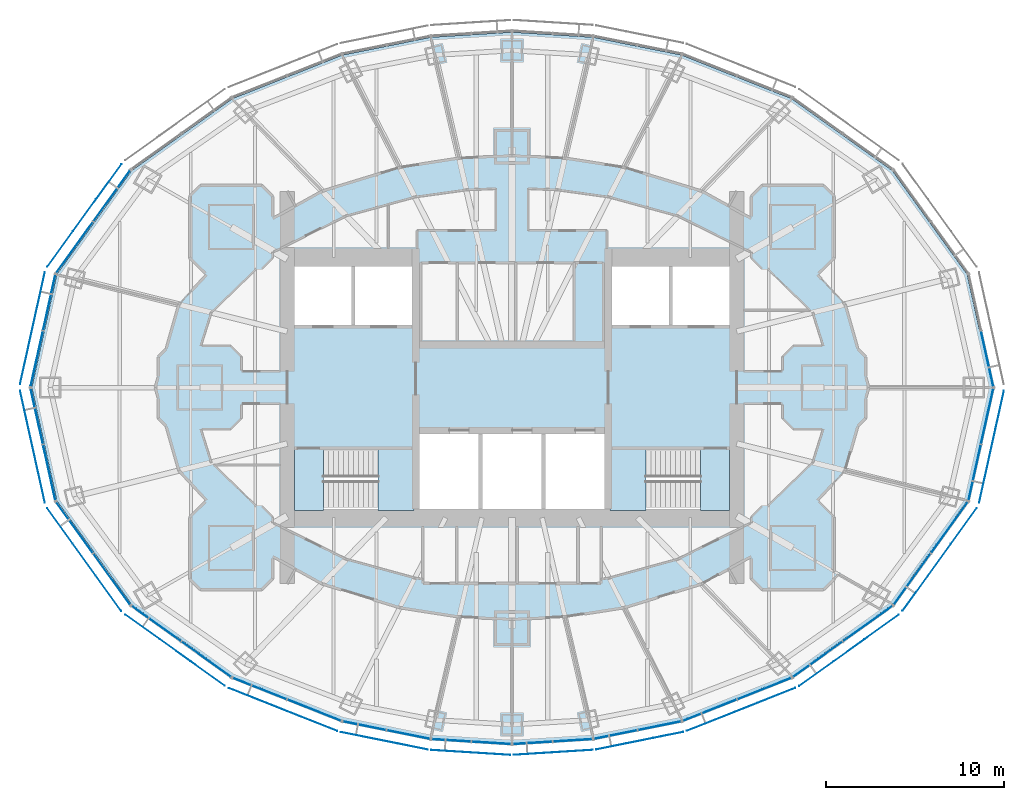
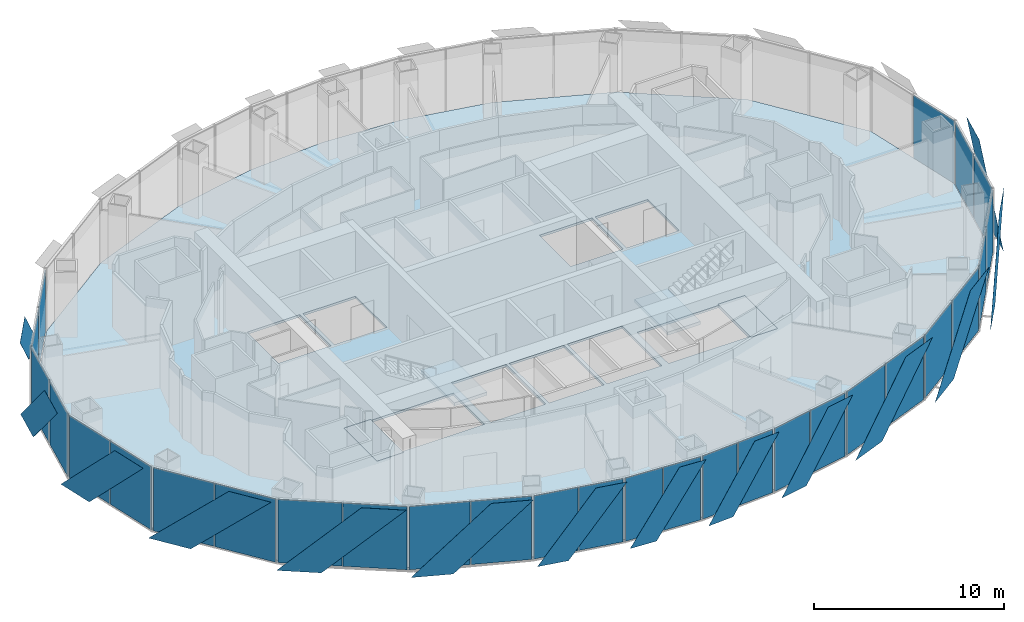
# One storey, part 10 of 19: 43 plates, 5 slabs, 17 elements without a shape of their own.
"""IFC4 building model written with IfcOpenShell, lengths in metres."""

from ifc_helpers import new_model, si_unit, direction, frame, origin, origin_2d, place, context, subcontext, project, spatial, polyline, rectangle, outline, extrude, material, layer, layer_set, type_object, element, aggregate, save


model = new_model("IFC4")

# Units and contexts
model_context = context("Model", 3, precision=1e-05, world=origin(), true_north=direction((0.0, 1.0)))
body_context = subcontext(model_context, "Body", "Model", "MODEL_VIEW")
ifc_project = project(units=[si_unit("LENGTHUNIT", "METRE"), si_unit("AREAUNIT", "SQUARE_METRE"), si_unit("VOLUMEUNIT", "CUBIC_METRE"), si_unit("PLANEANGLEUNIT", "RADIAN"), si_unit("MASSUNIT", "GRAM", prefix="KILO")], contexts=[model_context])

# Site, building, storey
site_placement = place(None, origin())
site = spatial("IfcSite", under=ifc_project, at=site_placement, CompositionType="ELEMENT")
building_placement = place(site_placement, origin())
building = spatial("IfcBuilding", under=site, at=building_placement, Name="Lantaw Convention Tower", CompositionType="ELEMENT")
storey_placement = place(building_placement, frame((0.0, 0.0, 253.60009765625)))
storey = spatial("IfcBuildingStorey", under=building, at=storey_placement, Name="L59", CompositionType="ELEMENT", Elevation=253.60009765625)

# Curtain wall, plate
ifc_material_1 = material(Name="Aluminium framed curtain wall", Category="aluminium")
curtain_wall_type = type_object("IfcCurtainWallType", Name="Office curtain wall high rise, pale aluminium", PredefinedType="USERDEFINED", material=ifc_material_1)
curtain_wall_1_placement = place(storey_placement, origin())
curtain_wall_1 = element("IfcCurtainWall", 1, at=curtain_wall_1_placement, inside=storey, type_object=curtain_wall_type, Name="Office curtain wall high rise, pale aluminium L59", ObjectType="UNITISED CURTAIN WALL", PredefinedType="USERDEFINED")
ifc_material_2 = material(Name="Clear insulating glass", Category="glass")
ifc_layer_1 = layer(ifc_material_2, 0.028076171875)
ifc_layer_set_1 = layer_set([ifc_layer_1], Name="CW-O2 panel 28")
plate_type_1 = type_object("IfcPlateType", Name="CW-O2 panel 28", PredefinedType="CURTAIN_PANEL", material=ifc_layer_set_1)
plate_1_placement = place(storey_placement, frame((26.643798828125, 1.61083984375, -0.0849609375), z_axis=(0.0, 0.0, 1.0), x_axis=(-0.215891333626, 0.976417396437, 0.0)))
plate_1 = element("IfcPlate", 2, at=plate_1_placement, type_object=plate_type_1, Name="CW-O2 panel 1.1", PredefinedType="CURTAIN_PANEL", context=body_context, shape_type="SweptSolid", body=[
    extrude(rectangle(XDim=3.169677734375, YDim=0.028076171875, at=origin_2d()), origin(), (0.0, 0.0, 1.0), 4.070068359375),
])
aggregate(curtain_wall_1, [plate_1])

# Curtain wall, plates
curtain_wall_2_placement = place(storey_placement, origin())
curtain_wall_2 = element("IfcCurtainWall", 3, at=curtain_wall_2_placement, inside=storey, type_object=curtain_wall_type, Name="Office curtain wall high rise, pale aluminium L59", ObjectType="UNITISED CURTAIN WALL", PredefinedType="USERDEFINED")
plate_2_placement = place(storey_placement, frame((-22.4404296875, 10.743896484375, -0.0849609375), z_axis=(0.0, 0.0, 1.0), x_axis=(-0.585157643865, -0.810919559405, 0.0)))
plate_2 = element("IfcPlate", 4, at=plate_2_placement, type_object=plate_type_1, Name="CW-O2 panel 1.1", PredefinedType="CURTAIN_PANEL", context=body_context, shape_type="SweptSolid", body=[
    extrude(rectangle(XDim=3.500732421875, YDim=0.028076171875, at=origin_2d()), origin(), (0.0, 0.0, 1.0), 4.070068359375),
])
plate_3_placement = place(storey_placement, frame((-24.527099609375, 7.852294921875, -0.0849609375), z_axis=(0.0, 0.0, 1.0), x_axis=(-0.585157643865, -0.810919559405, 0.0)))
plate_3 = element("IfcPlate", 5, at=plate_3_placement, type_object=plate_type_1, Name="CW-O2 panel 2.1", PredefinedType="CURTAIN_PANEL", context=body_context, shape_type="SweptSolid", body=[
    extrude(rectangle(XDim=3.500732421875, YDim=0.028076171875, at=origin_2d()), origin(), (0.0, 0.0, 1.0), 4.070068359375),
])
aggregate(curtain_wall_2, [plate_2, plate_3])

curtain_wall_3_placement = place(storey_placement, origin())
curtain_wall_3 = element("IfcCurtainWall", 6, at=curtain_wall_3_placement, inside=storey, type_object=curtain_wall_type, Name="Office curtain wall high rise, pale aluminium L59", ObjectType="UNITISED CURTAIN WALL", PredefinedType="USERDEFINED")
plate_4_placement = place(storey_placement, frame((-25.945556640625, 4.769287109375, -0.0849609375), z_axis=(0.0, 0.0, 1.0), x_axis=(-0.215891333626, -0.976417396437, 0.0)))
plate_4 = element("IfcPlate", 7, at=plate_4_placement, type_object=plate_type_1, Name="CW-O2 panel 1.1", PredefinedType="CURTAIN_PANEL", context=body_context, shape_type="SweptSolid", body=[
    extrude(rectangle(XDim=3.169677734375, YDim=0.028076171875, at=origin_2d()), origin(), (0.0, 0.0, 1.0), 4.070068359375),
])
plate_5_placement = place(storey_placement, frame((-26.643798828125, 1.61083984375, -0.0849609375), z_axis=(0.0, 0.0, 1.0), x_axis=(-0.215891333626, -0.976417396437, 0.0)))
plate_5 = element("IfcPlate", 8, at=plate_5_placement, type_object=plate_type_1, Name="CW-O2 panel 2.1", PredefinedType="CURTAIN_PANEL", context=body_context, shape_type="SweptSolid", body=[
    extrude(rectangle(XDim=3.169677734375, YDim=0.028076171875, at=origin_2d()), origin(), (0.0, 0.0, 1.0), 4.070068359375),
])
aggregate(curtain_wall_3, [plate_4, plate_5])

curtain_wall_4_placement = place(storey_placement, origin())
curtain_wall_4 = element("IfcCurtainWall", 9, at=curtain_wall_4_placement, inside=storey, type_object=curtain_wall_type, Name="Office curtain wall high rise, pale aluminium L59", ObjectType="UNITISED CURTAIN WALL", PredefinedType="USERDEFINED")
plate_6_placement = place(storey_placement, frame((-26.643798828125, -1.61083984375, -0.0849609375), z_axis=(0.0, 0.0, 1.0), x_axis=(0.215891333626, -0.976417396437, 0.0)))
plate_6 = element("IfcPlate", 10, at=plate_6_placement, type_object=plate_type_1, Name="CW-O2 panel 1.1", PredefinedType="CURTAIN_PANEL", context=body_context, shape_type="SweptSolid", body=[
    extrude(rectangle(XDim=3.169677734375, YDim=0.028076171875, at=origin_2d()), origin(), (0.0, 0.0, 1.0), 4.070068359375),
])
plate_7_placement = place(storey_placement, frame((-25.945556640625, -4.769287109375, -0.0849609375), z_axis=(0.0, 0.0, 1.0), x_axis=(0.215891333626, -0.976417396437, 0.0)))
plate_7 = element("IfcPlate", 11, at=plate_7_placement, type_object=plate_type_1, Name="CW-O2 panel 2.1", PredefinedType="CURTAIN_PANEL", context=body_context, shape_type="SweptSolid", body=[
    extrude(rectangle(XDim=3.169677734375, YDim=0.028076171875, at=origin_2d()), origin(), (0.0, 0.0, 1.0), 4.070068359375),
])
aggregate(curtain_wall_4, [plate_6, plate_7])

curtain_wall_5_placement = place(storey_placement, origin())
curtain_wall_5 = element("IfcCurtainWall", 12, at=curtain_wall_5_placement, inside=storey, type_object=curtain_wall_type, Name="Office curtain wall high rise, pale aluminium L59", ObjectType="UNITISED CURTAIN WALL", PredefinedType="USERDEFINED")
plate_8_placement = place(storey_placement, frame((-24.527099609375, -7.852294921875, -0.0849609375), z_axis=(0.0, 0.0, 1.0), x_axis=(0.585157643865, -0.810919559405, 0.0)))
plate_8 = element("IfcPlate", 13, at=plate_8_placement, type_object=plate_type_1, Name="CW-O2 panel 1.1", PredefinedType="CURTAIN_PANEL", context=body_context, shape_type="SweptSolid", body=[
    extrude(rectangle(XDim=3.500732421875, YDim=0.028076171875, at=origin_2d()), origin(), (0.0, 0.0, 1.0), 4.070068359375),
])
plate_9_placement = place(storey_placement, frame((-22.4404296875, -10.743896484375, -0.0849609375), z_axis=(0.0, 0.0, 1.0), x_axis=(0.585157643865, -0.810919559405, 0.0)))
plate_9 = element("IfcPlate", 14, at=plate_9_placement, type_object=plate_type_1, Name="CW-O2 panel 2.1", PredefinedType="CURTAIN_PANEL", context=body_context, shape_type="SweptSolid", body=[
    extrude(rectangle(XDim=3.500732421875, YDim=0.028076171875, at=origin_2d()), origin(), (0.0, 0.0, 1.0), 4.070068359375),
])
aggregate(curtain_wall_5, [plate_8, plate_9])

curtain_wall_6_placement = place(storey_placement, origin())
curtain_wall_6 = element("IfcCurtainWall", 15, at=curtain_wall_6_placement, inside=storey, type_object=curtain_wall_type, Name="Office curtain wall high rise, pale aluminium L59", ObjectType="UNITISED CURTAIN WALL", PredefinedType="USERDEFINED")
plate_10_placement = place(storey_placement, frame((-19.947509765625, -13.23828125, -0.0849609375), z_axis=(0.0, 0.0, 1.0), x_axis=(0.813672540482, -0.581323487281, 0.0)))
plate_10 = element("IfcPlate", 16, at=plate_10_placement, type_object=plate_type_1, Name="CW-O2 panel 1.1", PredefinedType="CURTAIN_PANEL", context=body_context, shape_type="SweptSolid", body=[
    extrude(rectangle(XDim=3.386474609375, YDim=0.028076171875, at=origin_2d()), origin(), (0.0, 0.0, 1.0), 4.070068359375),
])
plate_11_placement = place(storey_placement, frame((-17.13916015625, -15.24462890625, -0.0849609375), z_axis=(0.0, 0.0, 1.0), x_axis=(0.813672540482, -0.581323487281, 0.0)))
plate_11 = element("IfcPlate", 17, at=plate_11_placement, type_object=plate_type_1, Name="CW-O2 panel 2.1", PredefinedType="CURTAIN_PANEL", context=body_context, shape_type="SweptSolid", body=[
    extrude(rectangle(XDim=3.386474609375, YDim=0.028076171875, at=origin_2d()), origin(), (0.0, 0.0, 1.0), 4.070068359375),
])
aggregate(curtain_wall_6, [plate_10, plate_11])

curtain_wall_7_placement = place(storey_placement, origin())
curtain_wall_7 = element("IfcCurtainWall", 18, at=curtain_wall_7_placement, inside=storey, type_object=curtain_wall_type, Name="Office curtain wall high rise, pale aluminium L59", ObjectType="UNITISED CURTAIN WALL", PredefinedType="USERDEFINED")
plate_12_placement = place(storey_placement, frame((-14.14990234375, -16.8837890625, -0.0849609375), z_axis=(0.0, 0.0, 1.0), x_axis=(0.929761533743, -0.368162315252, 0.0)))
plate_12 = element("IfcPlate", 19, at=plate_12_placement, type_object=plate_type_1, Name="CW-O2 panel 1.1", PredefinedType="CURTAIN_PANEL", context=body_context, shape_type="SweptSolid", body=[
    extrude(rectangle(XDim=3.222900390625, YDim=0.028076171875, at=origin_2d()), origin(), (0.0, 0.0, 1.0), 4.070068359375),
])
plate_13_placement = place(storey_placement, frame((-11.0927734375, -18.094482421875, -0.0849609375), z_axis=(0.0, 0.0, 1.0), x_axis=(0.929761533743, -0.368162315252, 0.0)))
plate_13 = element("IfcPlate", 20, at=plate_13_placement, type_object=plate_type_1, Name="CW-O2 panel 2.1", PredefinedType="CURTAIN_PANEL", context=body_context, shape_type="SweptSolid", body=[
    extrude(rectangle(XDim=3.222900390625, YDim=0.028076171875, at=origin_2d()), origin(), (0.0, 0.0, 1.0), 4.070068359375),
])
aggregate(curtain_wall_7, [plate_12, plate_13])

curtain_wall_8_placement = place(storey_placement, origin())
curtain_wall_8 = element("IfcCurtainWall", 21, at=curtain_wall_8_placement, inside=storey, type_object=curtain_wall_type, Name="Office curtain wall high rise, pale aluminium L59", ObjectType="UNITISED CURTAIN WALL", PredefinedType="USERDEFINED")
plate_14_placement = place(storey_placement, frame((-8.2724609375, -18.96533203125, -0.0849609375), z_axis=(0.0, 0.0, 1.0), x_axis=(0.980366679695, -0.197183095987, 0.0)))
plate_14 = element("IfcPlate", 22, at=plate_14_placement, type_object=plate_type_1, Name="CW-O2 panel 1.1", PredefinedType="CURTAIN_PANEL", context=body_context, shape_type="SweptSolid", body=[
    extrude(rectangle(XDim=2.44384765625, YDim=0.028076171875, at=origin_2d()), origin(), (0.0, 0.0, 1.0), 4.070068359375),
])
plate_15_placement = place(storey_placement, frame((-5.81298828125, -19.4599609375, -0.0849609375), z_axis=(0.0, 0.0, 1.0), x_axis=(0.980366679695, -0.197183095987, 0.0)))
plate_15 = element("IfcPlate", 23, at=plate_15_placement, type_object=plate_type_1, Name="CW-O2 panel 2.1", PredefinedType="CURTAIN_PANEL", context=body_context, shape_type="SweptSolid", body=[
    extrude(rectangle(XDim=2.44384765625, YDim=0.028076171875, at=origin_2d()), origin(), (0.0, 0.0, 1.0), 4.070068359375),
])
aggregate(curtain_wall_8, [plate_14, plate_15])

curtain_wall_9_placement = place(storey_placement, origin())
curtain_wall_9 = element("IfcCurtainWall", 24, at=curtain_wall_9_placement, inside=storey, type_object=curtain_wall_type, Name="Office curtain wall high rise, pale aluminium L59", ObjectType="UNITISED CURTAIN WALL", PredefinedType="USERDEFINED")
plate_16_placement = place(storey_placement, frame((-3.397216796875, -19.786376953125, -0.0849609375), z_axis=(0.0, 0.0, 1.0), x_axis=(0.998028774865, -0.062757983884, 0.0)))
plate_16 = element("IfcPlate", 25, at=plate_16_placement, type_object=plate_type_1, Name="CW-O2 panel 1.1", PredefinedType="CURTAIN_PANEL", context=body_context, shape_type="SweptSolid", body=[
    extrude(rectangle(XDim=2.1826171875, YDim=0.028076171875, at=origin_2d()), origin(), (0.0, 0.0, 1.0), 4.070068359375),
])
plate_17_placement = place(storey_placement, frame((-1.154052734375, -19.927490234375, -0.0849609375), z_axis=(0.0, 0.0, 1.0), x_axis=(0.998028774865, -0.062757983884, 0.0)))
plate_17 = element("IfcPlate", 26, at=plate_17_placement, type_object=plate_type_1, Name="CW-O2 panel 2.1", PredefinedType="CURTAIN_PANEL", context=body_context, shape_type="SweptSolid", body=[
    extrude(rectangle(XDim=2.1826171875, YDim=0.028076171875, at=origin_2d()), origin(), (0.0, 0.0, 1.0), 4.070068359375),
])
aggregate(curtain_wall_9, [plate_16, plate_17])

curtain_wall_10_placement = place(storey_placement, origin())
curtain_wall_10 = element("IfcCurtainWall", 27, at=curtain_wall_10_placement, inside=storey, type_object=curtain_wall_type, Name="Office curtain wall high rise, pale aluminium L59", ObjectType="UNITISED CURTAIN WALL", PredefinedType="USERDEFINED")
plate_18_placement = place(storey_placement, frame((1.154052734375, -19.927490234375, -0.0849609375), z_axis=(0.0, 0.0, 1.0), x_axis=(0.998028774865, 0.062757983884, 0.0)))
plate_18 = element("IfcPlate", 28, at=plate_18_placement, type_object=plate_type_1, Name="CW-O2 panel 1.1", PredefinedType="CURTAIN_PANEL", context=body_context, shape_type="SweptSolid", body=[
    extrude(rectangle(XDim=2.1826171875, YDim=0.028076171875, at=origin_2d()), origin(), (0.0, 0.0, 1.0), 4.070068359375),
])
plate_19_placement = place(storey_placement, frame((3.397216796875, -19.786376953125, -0.0849609375), z_axis=(0.0, 0.0, 1.0), x_axis=(0.998028774865, 0.062757983884, 0.0)))
plate_19 = element("IfcPlate", 29, at=plate_19_placement, type_object=plate_type_1, Name="CW-O2 panel 2.1", PredefinedType="CURTAIN_PANEL", context=body_context, shape_type="SweptSolid", body=[
    extrude(rectangle(XDim=2.1826171875, YDim=0.028076171875, at=origin_2d()), origin(), (0.0, 0.0, 1.0), 4.070068359375),
])
aggregate(curtain_wall_10, [plate_18, plate_19])

curtain_wall_11_placement = place(storey_placement, origin())
curtain_wall_11 = element("IfcCurtainWall", 30, at=curtain_wall_11_placement, inside=storey, type_object=curtain_wall_type, Name="Office curtain wall high rise, pale aluminium L59", ObjectType="UNITISED CURTAIN WALL", PredefinedType="USERDEFINED")
plate_20_placement = place(storey_placement, frame((5.81298828125, -19.4599609375, -0.0849609375), z_axis=(0.0, 0.0, 1.0), x_axis=(0.980366679695, 0.197183095987, 0.0)))
plate_20 = element("IfcPlate", 31, at=plate_20_placement, type_object=plate_type_1, Name="CW-O2 panel 1.1", PredefinedType="CURTAIN_PANEL", context=body_context, shape_type="SweptSolid", body=[
    extrude(rectangle(XDim=2.44384765625, YDim=0.028076171875, at=origin_2d()), origin(), (0.0, 0.0, 1.0), 4.070068359375),
])
plate_21_placement = place(storey_placement, frame((8.2724609375, -18.96533203125, -0.0849609375), z_axis=(0.0, 0.0, 1.0), x_axis=(0.980366679695, 0.197183095987, 0.0)))
plate_21 = element("IfcPlate", 32, at=plate_21_placement, type_object=plate_type_1, Name="CW-O2 panel 2.1", PredefinedType="CURTAIN_PANEL", context=body_context, shape_type="SweptSolid", body=[
    extrude(rectangle(XDim=2.44384765625, YDim=0.028076171875, at=origin_2d()), origin(), (0.0, 0.0, 1.0), 4.070068359375),
])
aggregate(curtain_wall_11, [plate_20, plate_21])

curtain_wall_12_placement = place(storey_placement, origin())
curtain_wall_12 = element("IfcCurtainWall", 33, at=curtain_wall_12_placement, inside=storey, type_object=curtain_wall_type, Name="Office curtain wall high rise, pale aluminium L59", ObjectType="UNITISED CURTAIN WALL", PredefinedType="USERDEFINED")
plate_22_placement = place(storey_placement, frame((11.0927734375, -18.094482421875, -0.0849609375), z_axis=(0.0, 0.0, 1.0), x_axis=(0.929761533743, 0.368162315252, 0.0)))
plate_22 = element("IfcPlate", 34, at=plate_22_placement, type_object=plate_type_1, Name="CW-O2 panel 1.1", PredefinedType="CURTAIN_PANEL", context=body_context, shape_type="SweptSolid", body=[
    extrude(rectangle(XDim=3.222900390625, YDim=0.028076171875, at=origin_2d()), origin(), (0.0, 0.0, 1.0), 4.070068359375),
])
plate_23_placement = place(storey_placement, frame((14.14990234375, -16.8837890625, -0.0849609375), z_axis=(0.0, 0.0, 1.0), x_axis=(0.929761533743, 0.368162315252, 0.0)))
plate_23 = element("IfcPlate", 35, at=plate_23_placement, type_object=plate_type_1, Name="CW-O2 panel 2.1", PredefinedType="CURTAIN_PANEL", context=body_context, shape_type="SweptSolid", body=[
    extrude(rectangle(XDim=3.222900390625, YDim=0.028076171875, at=origin_2d()), origin(), (0.0, 0.0, 1.0), 4.070068359375),
])
aggregate(curtain_wall_12, [plate_22, plate_23])

curtain_wall_13_placement = place(storey_placement, origin())
curtain_wall_13 = element("IfcCurtainWall", 36, at=curtain_wall_13_placement, inside=storey, type_object=curtain_wall_type, Name="Office curtain wall high rise, pale aluminium L59", ObjectType="UNITISED CURTAIN WALL", PredefinedType="USERDEFINED")
plate_24_placement = place(storey_placement, frame((17.13916015625, -15.24462890625, -0.0849609375), z_axis=(0.0, 0.0, 1.0), x_axis=(0.813672540482, 0.581323487281, 0.0)))
plate_24 = element("IfcPlate", 37, at=plate_24_placement, type_object=plate_type_1, Name="CW-O2 panel 1.1", PredefinedType="CURTAIN_PANEL", context=body_context, shape_type="SweptSolid", body=[
    extrude(rectangle(XDim=3.386474609375, YDim=0.028076171875, at=origin_2d()), origin(), (0.0, 0.0, 1.0), 4.070068359375),
])
plate_25_placement = place(storey_placement, frame((19.947509765625, -13.23828125, -0.0849609375), z_axis=(0.0, 0.0, 1.0), x_axis=(0.813672540482, 0.581323487281, 0.0)))
plate_25 = element("IfcPlate", 38, at=plate_25_placement, type_object=plate_type_1, Name="CW-O2 panel 2.1", PredefinedType="CURTAIN_PANEL", context=body_context, shape_type="SweptSolid", body=[
    extrude(rectangle(XDim=3.386474609375, YDim=0.028076171875, at=origin_2d()), origin(), (0.0, 0.0, 1.0), 4.070068359375),
])
aggregate(curtain_wall_13, [plate_24, plate_25])

curtain_wall_14_placement = place(storey_placement, origin())
curtain_wall_14 = element("IfcCurtainWall", 39, at=curtain_wall_14_placement, inside=storey, type_object=curtain_wall_type, Name="Office curtain wall high rise, pale aluminium L59", ObjectType="UNITISED CURTAIN WALL", PredefinedType="USERDEFINED")
plate_26_placement = place(storey_placement, frame((22.4404296875, -10.743896484375, -0.0849609375), z_axis=(0.0, 0.0, 1.0), x_axis=(0.585157643865, 0.810919559405, 0.0)))
plate_26 = element("IfcPlate", 40, at=plate_26_placement, type_object=plate_type_1, Name="CW-O2 panel 1.1", PredefinedType="CURTAIN_PANEL", context=body_context, shape_type="SweptSolid", body=[
    extrude(rectangle(XDim=3.500732421875, YDim=0.028076171875, at=origin_2d()), origin(), (0.0, 0.0, 1.0), 4.070068359375),
])
plate_27_placement = place(storey_placement, frame((24.527099609375, -7.852294921875, -0.0849609375), z_axis=(0.0, 0.0, 1.0), x_axis=(0.585157643865, 0.810919559405, 0.0)))
plate_27 = element("IfcPlate", 41, at=plate_27_placement, type_object=plate_type_1, Name="CW-O2 panel 2.1", PredefinedType="CURTAIN_PANEL", context=body_context, shape_type="SweptSolid", body=[
    extrude(rectangle(XDim=3.500732421875, YDim=0.028076171875, at=origin_2d()), origin(), (0.0, 0.0, 1.0), 4.070068359375),
])
aggregate(curtain_wall_14, [plate_26, plate_27])

curtain_wall_15_placement = place(storey_placement, origin())
curtain_wall_15 = element("IfcCurtainWall", 42, at=curtain_wall_15_placement, inside=storey, type_object=curtain_wall_type, Name="Office curtain wall high rise, pale aluminium L59", ObjectType="UNITISED CURTAIN WALL", PredefinedType="USERDEFINED")
plate_28_placement = place(storey_placement, frame((25.945556640625, -4.769287109375, -0.0849609375), z_axis=(0.0, 0.0, 1.0), x_axis=(0.215891333626, 0.976417396437, 0.0)))
plate_28 = element("IfcPlate", 43, at=plate_28_placement, type_object=plate_type_1, Name="CW-O2 panel 1.1", PredefinedType="CURTAIN_PANEL", context=body_context, shape_type="SweptSolid", body=[
    extrude(rectangle(XDim=3.169677734375, YDim=0.028076171875, at=origin_2d()), origin(), (0.0, 0.0, 1.0), 4.070068359375),
])
plate_29_placement = place(storey_placement, frame((26.643798828125, -1.61083984375, -0.0849609375), z_axis=(0.0, 0.0, 1.0), x_axis=(0.215891333626, 0.976417396437, 0.0)))
plate_29 = element("IfcPlate", 44, at=plate_29_placement, type_object=plate_type_1, Name="CW-O2 panel 2.1", PredefinedType="CURTAIN_PANEL", context=body_context, shape_type="SweptSolid", body=[
    extrude(rectangle(XDim=3.169677734375, YDim=0.028076171875, at=origin_2d()), origin(), (0.0, 0.0, 1.0), 4.070068359375),
])
aggregate(curtain_wall_15, [plate_28, plate_29])

# Slab
ifc_material_3 = material(Name="Concrete C35/45", Category="concrete")
ifc_layer_2 = layer(ifc_material_3, 0.14990234375)
ifc_layer_set_2 = layer_set([ifc_layer_2], Name="Floor slab 150")
slab_type_1 = type_object("IfcSlabType", Name="Floor slab 150", PredefinedType="FLOOR", material=ifc_layer_set_2)
slab_1_placement = place(storey_placement, frame((0.0, 0.0, -0.150146484375)))
element("IfcSlab", 45, at=slab_1_placement, inside=storey, type_object=slab_type_1, Name="L59 floor slab", PredefinedType="FLOOR", context=body_context, shape_type="SweptSolid", body=[
    extrude(outline(polyline([(25.51953125, -6.348876953125), (26.923095703125, 0.0), (25.51953125, 6.348876953125), (21.324462890625, 12.162109375), (15.67236328125, 16.2001953125), (9.5126953125, 18.639404296875), (4.54150390625, 19.63916015625), (0.0, 19.9248046875), (-4.54150390625, 19.63916015625), (-9.5126953125, 18.639404296875), (-15.67236328125, 16.2001953125), (-21.324462890625, 12.162109375), (-25.51953125, 6.348876953125), (-26.923095703125, 0.0), (-25.51953125, -6.348876953125), (-21.324462890625, -12.162109375), (-15.67236328125, -16.2001953125), (-9.5126953125, -18.639404296875), (-4.54150390625, -19.63916015625), (0.0, -19.9248046875), (4.54150390625, -19.63916015625), (9.5126953125, -18.639404296875), (15.67236328125, -16.2001953125), (21.324462890625, -12.162109375), (25.51953125, -6.348876953125)]), holes=[polyline([(-5.60009765625, -3.5), (-12.199951171875, -3.5), (-12.199951171875, -6.800048828125), (-5.60009765625, -6.800048828125), (-5.60009765625, -3.5)]), polyline([(12.199951171875, -3.5), (5.60009765625, -3.5), (5.60009765625, -6.800048828125), (12.199951171875, -6.800048828125), (12.199951171875, -3.5)]), polyline([(-1.86669921875, -2.60009765625), (-5.199951171875, -2.60009765625), (-5.199951171875, -6.800048828125), (-1.86669921875, -6.800048828125), (-1.86669921875, -2.60009765625)]), polyline([(1.666748046875, -2.60009765625), (-1.666748046875, -2.60009765625), (-1.666748046875, -6.800048828125), (1.666748046875, -6.800048828125), (1.666748046875, -2.60009765625)]), polyline([(5.199951171875, -2.60009765625), (1.86669921875, -2.60009765625), (1.86669921875, -6.800048828125), (5.199951171875, -6.800048828125), (5.199951171875, -2.60009765625)]), polyline([(-9.0, 6.800048828125), (-12.199951171875, 6.800048828125), (-12.199951171875, 3.5), (-9.0, 3.5), (-9.0, 6.800048828125)]), polyline([(-5.60009765625, 6.800048828125), (-8.800048828125, 6.800048828125), (-8.800048828125, 3.5), (-5.60009765625, 3.5), (-5.60009765625, 6.800048828125)]), polyline([(8.800048828125, 3.5), (8.800048828125, 6.800048828125), (5.60009765625, 6.800048828125), (5.60009765625, 3.5), (8.800048828125, 3.5)]), polyline([(12.199951171875, 3.5), (12.199951171875, 6.800048828125), (9.0, 6.800048828125), (9.0, 3.5), (12.199951171875, 3.5)])]), origin(), (0.0, 0.0, 1.0), 0.150146484375),
])

# Plates
ifc_material_4 = material(Name="Perforated aluminium sheet, pale silver finish", Category="aluminium")
ifc_layer_3 = layer(ifc_material_4, 0.006103515625)
ifc_layer_set_3 = layer_set([ifc_layer_3], Name="Perforated aluminium solar SCREEN panel")
plate_type_2 = type_object("IfcPlateType", Name="Perforated aluminium solar SCREEN panel", PredefinedType="SHEET", material=ifc_layer_set_3)
plate_30_placement = place(storey_placement, frame((-21.898681640625, 12.530029296875, -0.175048828125), z_axis=(-0.810892289695, 0.585195432394, 2.0459565e-05), x_axis=(-0.585195432516, -0.810892289865, 0.0)))
element("IfcPlate", 46, at=plate_30_placement, inside=storey, type_object=plate_type_2, Name="Solar SCREEN panel", PredefinedType="SHEET", context=body_context, shape_type="SweptSolid", body=[
    extrude(outline(polyline([(0.0, 0.0), (2.4468488406832853, 0.0), (7.096610466675719, 4.339843750908316), (4.649761625992434, 4.339843750908316), (0.0, 0.0)])), origin(), (0.0, 0.0, -1.0), 0.006103515625),
])
plate_31_placement = place(storey_placement, frame((-26.19189453125, 6.462158203125, -0.175048828125), z_axis=(0.976429511424, -0.215836529031, 4.4221925e-05), x_axis=(-0.215836529242, -0.976429512379, 0.0)))
element("IfcPlate", 47, at=plate_31_placement, inside=storey, type_object=plate_type_2, Name="Solar SCREEN panel", PredefinedType="SHEET", context=body_context, shape_type="SweptSolid", body=[
    extrude(outline(polyline([(0.0, 0.0), (2.2215525295212517, -3.3881317890172014e-21), (6.4341686174090675, -4.339843754243453), (4.212616087887817, -4.339843754243453), (0.0, 0.0)])), origin(), (0.0, 0.0, -1.0), 0.006103515625),
])
plate_32_placement = place(storey_placement, frame((-27.580810546875, -0.1796875, -0.175048828125), z_axis=(-0.976429511424, -0.215836529031, 4.4221925e-05), x_axis=(0.215836529242, -0.976429512379, 0.0)))
element("IfcPlate", 48, at=plate_32_placement, inside=storey, type_object=plate_type_2, Name="Solar SCREEN panel", PredefinedType="SHEET", context=body_context, shape_type="SweptSolid", body=[
    extrude(outline(polyline([(0.0, 0.0), (2.2215525295212517, 3.3881317890172014e-21), (6.4341686174090675, 4.339843754243453), (4.212616087887817, 4.339843754243453), (0.0, 0.0)])), origin(), (0.0, 0.0, -1.0), 0.006103515625),
])
plate_33_placement = place(storey_placement, frame((-26.051513671875, -6.775390625, -0.175048828125), z_axis=(0.810892289695, 0.585195432394, 2.0459565e-05), x_axis=(0.585195432516, -0.810892289865, 0.0)))
element("IfcPlate", 49, at=plate_33_placement, inside=storey, type_object=plate_type_2, Name="Solar SCREEN panel", PredefinedType="SHEET", context=body_context, shape_type="SweptSolid", body=[
    extrude(outline(polyline([(0.0, 0.0), (2.4468488406832853, 0.0), (7.096610466675719, -4.339843750908316), (4.649761625992434, -4.339843750908316), (0.0, 0.0)])), origin(), (0.0, 0.0, -1.0), 0.006103515625),
])
plate_34_placement = place(storey_placement, frame((-21.689697265625, -12.73828125, -0.175048828125), z_axis=(-0.581330799771, -0.813667316006, 1.0072981e-05), x_axis=(0.813667316047, -0.5813307998, 3.02e-10)))
element("IfcPlate", 50, at=plate_34_placement, inside=storey, type_object=plate_type_2, Name="Solar SCREEN panel", PredefinedType="SHEET", context=body_context, shape_type="SweptSolid", body=[
    extrude(outline(polyline([(0.0, 0.0), (2.36914164286685, -1.6940658945086007e-21), (6.867806096558412, 4.339843748148034), (4.498863102938643, 4.3398437495775966), (0.0, 0.0)])), origin(), (0.0, 0.0, -1.0), 0.006103515625),
])
plate_35_placement = place(storey_placement, frame((-15.88525390625, -16.8486328125, -0.175048828125), z_axis=(0.368116612072, 0.929779629081, 3.5535267e-05), x_axis=(0.929779629668, -0.368116612304, -1.786e-09)))
element("IfcPlate", 51, at=plate_35_placement, inside=storey, type_object=plate_type_2, Name="Solar SCREEN panel", PredefinedType="SHEET", context=body_context, shape_type="SweptSolid", body=[
    extrude(outline(polyline([(0.0, 0.0), (2.2578720663572183, -6.776263578034403e-21), (6.540904465438181, -4.339843764423989), (4.282942526861161, -4.33984375635743), (0.0, 0.0)])), origin(), (0.0, 0.0, -1.0), 0.006103515625),
])
plate_36_placement = place(storey_placement, frame((-9.6044921875, -19.315673828125, -0.175048828125), z_axis=(0.197162069853, 0.980370908428, 1.0904697e-05), x_axis=(0.980370908486, -0.197162069865, -7.55e-10)))
element("IfcPlate", 52, at=plate_36_placement, inside=storey, type_object=plate_type_2, Name="Solar SCREEN panel", PredefinedType="SHEET", context=body_context, shape_type="SweptSolid", body=[
    extrude(outline(polyline([(0.0, 0.0), (1.7279870169553606, 0.0), (4.982578440602753, -4.339843754020975), (3.2545432883764285, -4.339843751410917), (0.0, 0.0)])), origin(), (0.0, 0.0, -1.0), 0.006103515625),
])
plate_37_placement = place(storey_placement, frame((-4.539306640625, -20.32177734375, -0.175048828125), z_axis=(0.062672387577, 0.998034151922, 5.8589976e-05), x_axis=(0.998034153635, -0.062672387685, 0.0)))
element("IfcPlate", 53, at=plate_37_placement, inside=storey, type_object=plate_type_2, Name="Solar SCREEN panel", PredefinedType="SHEET", context=body_context, shape_type="SweptSolid", body=[
    extrude(outline(polyline([(0.0, 0.0), (1.5504111513762302, 8.470329472543003e-22), (4.460200019412434, -4.339843757448876), (2.9097888680362036, -4.339843757448876), (0.0, 0.0)])), origin(), (0.0, 0.0, -1.0), 0.006103515625),
])
plate_38_placement = place(storey_placement, frame((0.087890625, -20.6015625, -0.175048828125), z_axis=(0.062672387577, -0.998034151922, 5.8589976e-05), x_axis=(0.998034153635, 0.062672387685, 0.0)))
element("IfcPlate", 54, at=plate_38_placement, inside=storey, type_object=plate_type_2, Name="Solar SCREEN panel", PredefinedType="SHEET", context=body_context, shape_type="SweptSolid", body=[
    extrude(outline(polyline([(0.0, 0.0), (1.5504111513762302, -8.470329472543003e-22), (4.460200019412434, 4.339843757448876), (2.9097888680362036, 4.339843757448876), (0.0, 0.0)])), origin(), (0.0, 0.0, -1.0), 0.006103515625),
])
plate_39_placement = place(storey_placement, frame((4.7197265625, -20.298095703125, -0.175048828125), z_axis=(0.197162069853, -0.980370908428, 1.0904697e-05), x_axis=(0.980370908486, 0.197162069865, 7.55e-10)))
element("IfcPlate", 55, at=plate_39_placement, inside=storey, type_object=plate_type_2, Name="Solar SCREEN panel", PredefinedType="SHEET", context=body_context, shape_type="SweptSolid", body=[
    extrude(outline(polyline([(0.0, 0.0), (1.7280351522263238, 0.0), (4.982578447157737, 4.339843746495192), (3.2545914302023755, 4.339843749105177), (0.0, 0.0)])), origin(), (0.0, 0.0, -1.0), 0.006103515625),
])
plate_40_placement = place(storey_placement, frame((9.8037109375, -19.256591796875, -0.175048828125), z_axis=(0.368116612072, -0.929779629081, 3.5535267e-05), x_axis=(0.929779629668, 0.368116612304, 1.786e-09)))
element("IfcPlate", 56, at=plate_40_placement, inside=storey, type_object=plate_type_2, Name="Solar SCREEN panel", PredefinedType="SHEET", context=body_context, shape_type="SweptSolid", body=[
    extrude(outline(polyline([(0.0, 0.0), (2.257961938577019, 6.776263578034403e-21), (6.540904480942253, 4.339843741056637), (4.283032414585034, 4.339843749122875), (0.0, 0.0)])), origin(), (0.0, 0.0, -1.0), 0.006103515625),
])
plate_41_placement = place(storey_placement, frame((16.1015625, -16.730712890625, -0.175048828125), z_axis=(-0.581330799771, 0.813667316006, 1.0072981e-05), x_axis=(0.813667316047, 0.5813307998, -3.02e-10)))
element("IfcPlate", 57, at=plate_41_placement, inside=storey, type_object=plate_type_2, Name="Solar SCREEN panel", PredefinedType="SHEET", context=body_context, shape_type="SweptSolid", body=[
    extrude(outline(polyline([(0.0, 0.0), (2.3689429936197683, -1.6940658945086007e-21), (6.867806093939489, -4.339843752292481), (4.498664451072639, -4.339843750862799), (0.0, 0.0)])), origin(), (0.0, 0.0, -1.0), 0.006103515625),
])
plate_42_placement = place(storey_placement, frame((21.898681640625, -12.530029296875, -0.175048828125), z_axis=(0.810892289695, -0.585195432394, 2.0459565e-05), x_axis=(0.585195432516, 0.810892289865, 0.0)))
element("IfcPlate", 58, at=plate_42_placement, inside=storey, type_object=plate_type_2, Name="Solar SCREEN panel", PredefinedType="SHEET", context=body_context, shape_type="SweptSolid", body=[
    extrude(outline(polyline([(0.0, 0.0), (2.4468488406832853, 0.0), (7.096610466675719, 4.339843750908316), (4.649761625992434, 4.339843750908316), (0.0, 0.0)])), origin(), (0.0, 0.0, -1.0), 0.006103515625),
])
plate_43_placement = place(storey_placement, frame((26.19189453125, -6.462158203125, -0.175048828125), z_axis=(-0.976429511424, 0.215836529031, 4.4221925e-05), x_axis=(0.215836529242, 0.976429512379, 0.0)))
element("IfcPlate", 59, at=plate_43_placement, inside=storey, type_object=plate_type_2, Name="Solar SCREEN panel", PredefinedType="SHEET", context=body_context, shape_type="SweptSolid", body=[
    extrude(outline(polyline([(0.0, 0.0), (2.2215525295212517, -3.3881317890172014e-21), (6.4341686174090675, -4.339843754243453), (4.212616087887817, -4.339843754243453), (0.0, 0.0)])), origin(), (0.0, 0.0, -1.0), 0.006103515625),
])

# Stair, slabs
stair_type = type_object("IfcStairType", Name="Exit stair 1500 riser 175 in 2 flights", PredefinedType="HALF_TURN_STAIR", material=ifc_material_3)
stair_1_placement = place(storey_placement, origin())
stair_1 = element("IfcStair", 60, at=stair_1_placement, inside=storey, type_object=stair_type, Name="Exit stair S1 L59", PredefinedType="HALF_TURN_STAIR")
ifc_layer_4 = layer(ifc_material_3, 0.199951171875)
ifc_layer_set_4 = layer_set([ifc_layer_4], Name="Stair landing 200")
slab_type_2 = type_object("IfcSlabType", Name="Stair landing 200", PredefinedType="LANDING", material=ifc_layer_set_4)
slab_2_placement = place(storey_placement, frame((0.0, 0.0, -0.2001953125)))
slab_2 = element("IfcSlab", 61, at=slab_2_placement, type_object=slab_type_2, Name="S1 landing 1", PredefinedType="LANDING", context=body_context, shape_type="SweptSolid", body=[
    extrude(outline(polyline([(-12.199951171875, -6.89990234375), (-10.580078125, -6.89990234375), (-10.580078125, -3.39990234375), (-12.199951171875, -3.39990234375), (-12.199951171875, -6.89990234375)])), origin(), (0.0, 0.0, 1.0), 0.2001953125),
])
slab_3_placement = place(storey_placement, frame((0.0, 0.0, 1.89990234375)))
slab_3 = element("IfcSlab", 62, at=slab_3_placement, type_object=slab_type_2, Name="S1 landing 2", PredefinedType="LANDING", context=body_context, shape_type="SweptSolid", body=[
    extrude(outline(polyline([(-7.5, -6.89990234375), (-5.5, -6.89990234375), (-5.5, -3.39990234375), (-7.5, -3.39990234375), (-7.5, -6.89990234375)])), origin(), (0.0, 0.0, 1.0), 0.199951171875),
])
aggregate(stair_1, [slab_2, slab_3])

stair_2_placement = place(storey_placement, origin())
stair_2 = element("IfcStair", 63, at=stair_2_placement, inside=storey, type_object=stair_type, Name="Exit stair S2 L59", PredefinedType="HALF_TURN_STAIR")
slab_4_placement = place(storey_placement, frame((0.0, 0.0, -0.2001953125)))
slab_4 = element("IfcSlab", 64, at=slab_4_placement, type_object=slab_type_2, Name="S2 landing 1", PredefinedType="LANDING", context=body_context, shape_type="SweptSolid", body=[
    extrude(outline(polyline([(10.580078125, -6.89990234375), (12.199951171875, -6.89990234375), (12.199951171875, -3.39990234375), (10.580078125, -3.39990234375), (10.580078125, -6.89990234375)])), origin(), (0.0, 0.0, 1.0), 0.2001953125),
])
slab_5_placement = place(storey_placement, frame((0.0, 0.0, 1.89990234375)))
slab_5 = element("IfcSlab", 65, at=slab_5_placement, type_object=slab_type_2, Name="S2 landing 2", PredefinedType="LANDING", context=body_context, shape_type="SweptSolid", body=[
    extrude(outline(polyline([(5.5, -6.89990234375), (7.5, -6.89990234375), (7.5, -3.39990234375), (5.5, -3.39990234375), (5.5, -6.89990234375)])), origin(), (0.0, 0.0, 1.0), 0.199951171875),
])
aggregate(stair_2, [slab_4, slab_5])

save(model, "model.ifc")
